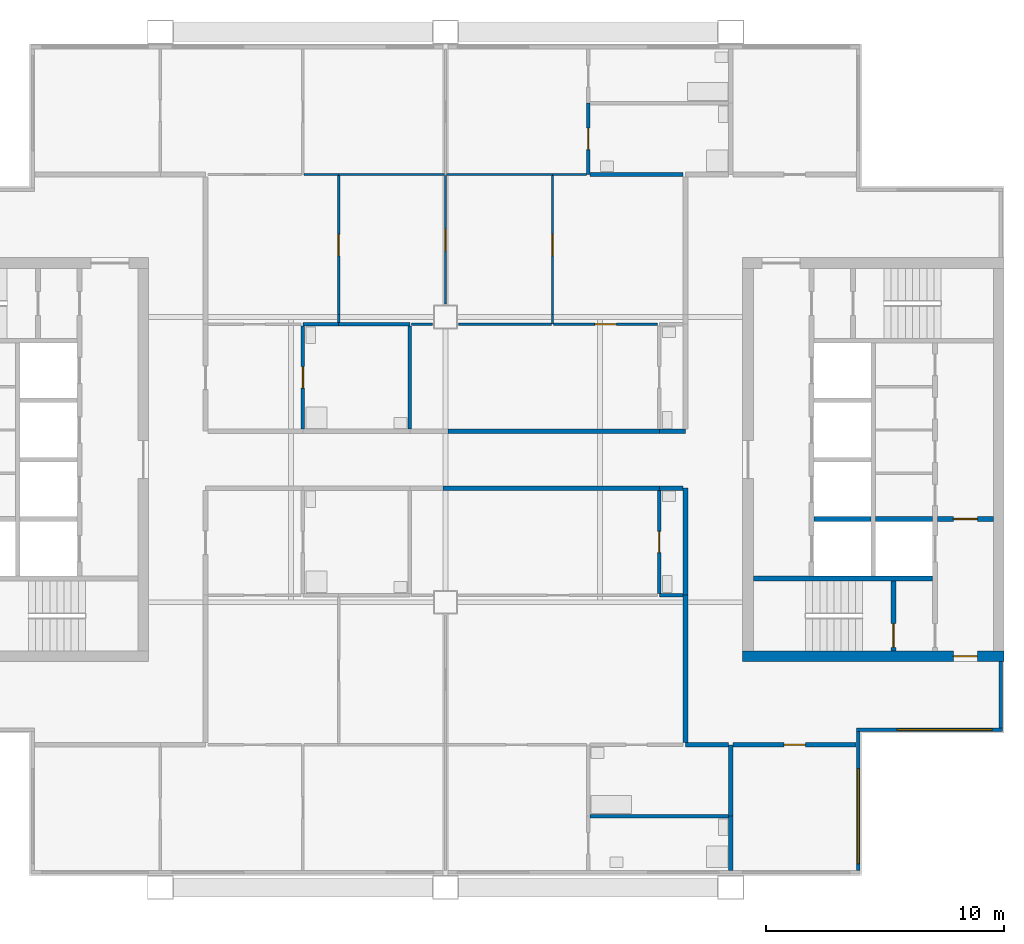
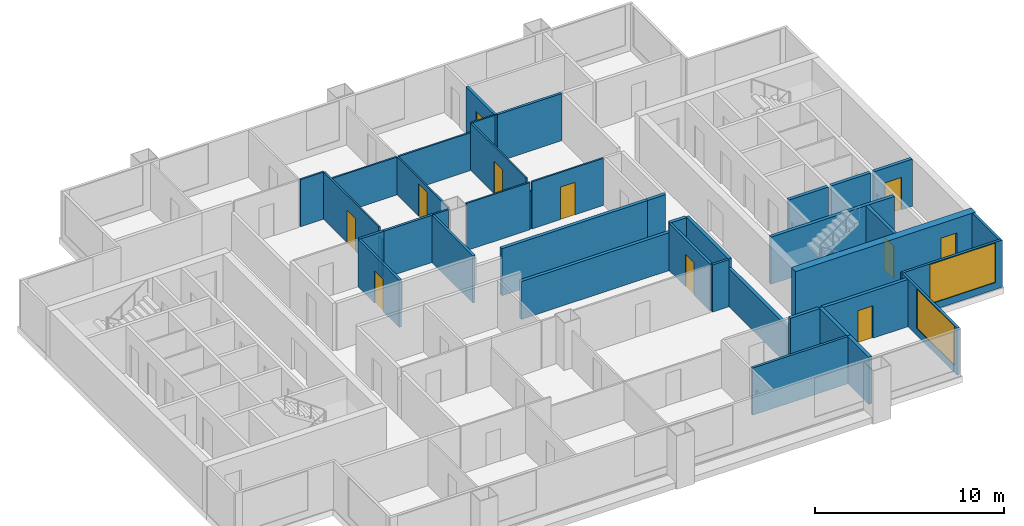
# One storey, part 4 of 8: 40 walls, 11 doors, 2 windows, 13 openings.
"""IFC4 building model written with IfcOpenShell, lengths in metres."""

from ifc_helpers import new_model, si_unit, direction, frame, frame_2d, origin, place, context, subcontext, project, spatial, rectangle, extrude, material, layer, layer_set, type_object, element, fill, save


model = new_model("IFC4")

# Units and contexts
model_context = context("Model", 3, precision=1e-05, world=origin(), true_north=direction((0.0, 1.0)))
body_context = subcontext(model_context, "Body", "Model", "MODEL_VIEW")
ifc_project = project(units=[si_unit("LENGTHUNIT", "METRE"), si_unit("AREAUNIT", "SQUARE_METRE"), si_unit("VOLUMEUNIT", "CUBIC_METRE"), si_unit("PLANEANGLEUNIT", "RADIAN"), si_unit("MASSUNIT", "GRAM", prefix="KILO")], contexts=[model_context])

# Site, building, storey
site_placement = place(None, origin())
site = spatial("IfcSite", under=ifc_project, at=site_placement, CompositionType="ELEMENT")
building_placement = place(site_placement, origin())
building = spatial("IfcBuilding", under=site, at=building_placement, Name="Kitamizu Gate Tower and Museum", CompositionType="ELEMENT")
storey_placement = place(building_placement, frame((0.0, 0.0, 228.300048828125)))
storey = spatial("IfcBuildingStorey", under=building, at=storey_placement, Name="L61", CompositionType="ELEMENT", Elevation=228.300048828125)

# Wall, opening, door
ifc_material_1 = material(Name="Concrete Fc42", Category="concrete")
ifc_layer_1 = layer(ifc_material_1, 0.449951171875)
ifc_layer_set_1 = layer_set([ifc_layer_1], Name="Concrete Fc42")
wall_type_1 = type_object("IfcWallType", Name="Core wall 450", PredefinedType="SHEAR", material=ifc_layer_set_1)
wall_1_placement = place(storey_placement, frame((59.5, 21.72509765625, 0.0), z_axis=(0.0, 0.0, 1.0), x_axis=(-1.0, 0.0, 0.0)))
wall_1 = element("IfcWall", 1, at=wall_1_placement, inside=storey, type_object=wall_type_1, Name="Core wall ES", PredefinedType="SHEAR", context=body_context, shape_type="SweptSolid", body=[
    extrude(rectangle(XDim=11.0, YDim=0.449951171875, at=frame_2d((5.5, 0.0))), origin(), (0.0, 0.0, 1.0), 3.050048828125),
])
opening_1_placement = place(wall_1_placement, frame((1.125, 0.0, 0.0)))
opening_1 = element("IfcOpeningElement", 2, at=opening_1_placement, cuts=wall_1, Name="Opening L61-047", PredefinedType="OPENING", context=body_context, shape_type="SweptSolid", body=[
    extrude(rectangle(XDim=1.0, YDim=2.10009765625, at=frame_2d((0.5, 1.050048828125))), frame((0.0, 0.23486328125, 0.0), z_axis=(0.0, -1.0, 0.0), x_axis=(1.0, 0.0, 0.0)), (0.0, 0.0, 1.0), 0.469970703125),
])
ifc_material_2 = material(Name="Hollow metal door set")
door_type_1 = type_object("IfcDoorType", Name="Fire door 1000", OperationType="NOTDEFINED", PredefinedType="DOOR", material=ifc_material_2)
door_1_placement = place(opening_1_placement, frame((1.0, 0.0, 0.0), x_axis=(-1.0, 0.0, 0.0)))
door_1 = element("IfcDoor", 3, at=door_1_placement, inside=storey, type_object=door_type_1, Name="Fire-fighting lobby door L61-047", OperationType="SINGLE_SWING_LEFT", OverallHeight=2.10009765625, OverallWidth=1.0, PredefinedType="DOOR", context=body_context, shape_type="SweptSolid", body=[
    extrude(rectangle(XDim=1.0, YDim=2.10009765625, at=frame_2d((0.5, 1.050048828125))), frame((0.0, 0.02490234375, 0.0), z_axis=(0.0, -1.0, 0.0), x_axis=(1.0, 0.0, 0.0)), (0.0, 0.0, 1.0), 0.050048828125),
])
fill(opening_1, door_1)

# Walls
ifc_material_3 = material(Name="Gypsum board on galvanised stud")
ifc_layer_2 = layer(ifc_material_3, 0.10009765625)
ifc_layer_set_2 = layer_set([ifc_layer_2], Name="Gypsum board on galvanised stud")
wall_type_2 = type_object("IfcWallType", Name="Partition 100 NOT RATED", PredefinedType="PARTITIONING", material=ifc_layer_set_2)
wall_2_placement = place(storey_placement, frame((30.050048828125, 42.0, 0.0), z_axis=(0.0, 0.0, 1.0), x_axis=(1.0, 0.0, 0.0)))
element("IfcWall", 4, at=wall_2_placement, inside=storey, type_object=wall_type_2, Name="Partition L61-044", PredefinedType="PARTITIONING", context=body_context, shape_type="SweptSolid", body=[
    extrude(rectangle(XDim=1.449951171875, YDim=0.10009765625, at=frame_2d((0.72509765625, 0.0))), origin(), (0.0, 0.0, 1.0), 3.050048828125),
])
for number, where, z_axis, x_axis, name in (
    (5, (31.5, 42.0, 0.0), (0.0, 0.0, 1.0), (1.0, 0.0, 0.0), "Partition L61-045"),
    (6, (36.050048828125, 42.0, 0.0), (0.0, 0.0, 1.0), (1.0, 0.0, 0.0), "Partition L61-048"),
):
    element("IfcWall", number, at=place(storey_placement, frame(where, z_axis=z_axis, x_axis=x_axis)), inside=storey, type_object=wall_type_2, Name=name, PredefinedType="PARTITIONING", context=body_context, shape_type="SweptSolid", body=[
        extrude(rectangle(XDim=4.449951171875, YDim=0.10009765625, at=frame_2d((2.22509765625, 0.0))), origin(), (0.0, 0.0, 1.0), 2.449951171875),
    ])
wall_3_placement = place(storey_placement, frame((40.5, 42.0, 0.0), z_axis=(0.0, 0.0, 1.0), x_axis=(1.0, 0.0, 0.0)))
element("IfcWall", 7, at=wall_3_placement, inside=storey, type_object=wall_type_2, Name="Partition L61-049", PredefinedType="PARTITIONING", context=body_context, shape_type="SweptSolid", body=[
    extrude(rectangle(XDim=1.425048828125, YDim=0.10009765625, at=frame_2d((0.71240234375, 0.0))), origin(), (0.0, 0.0, 1.0), 3.050048828125),
])
wall_4_placement = place(storey_placement, frame((31.5, 35.77490234375, 0.0), z_axis=(0.0, 0.0, 1.0), x_axis=(0.0, 1.0, 0.0)))
element("IfcWall", 8, at=wall_4_placement, inside=storey, type_object=wall_type_2, Name="Partition L61-055", PredefinedType="PARTITIONING", context=body_context, shape_type="SweptSolid", body=[
    extrude(rectangle(XDim=0.3251953125, YDim=0.10009765625, at=frame_2d((0.16259765625, 0.0))), origin(), (0.0, 0.0, 1.0), 2.449951171875),
])

# Wall, opening, door
wall_5_placement = place(storey_placement, frame((31.5, 36.10009765625, 0.0), z_axis=(0.0, 0.0, 1.0), x_axis=(0.0, 1.0, 0.0)))
wall_5 = element("IfcWall", 9, at=wall_5_placement, inside=storey, type_object=wall_type_2, Name="Partition L61-056", PredefinedType="PARTITIONING", context=body_context, shape_type="SweptSolid", body=[
    extrude(rectangle(XDim=5.849853515625, YDim=0.10009765625, at=frame_2d((2.9248046875, 0.0))), origin(), (0.0, 0.0, 1.0), 3.050048828125),
])
opening_2_placement = place(wall_5_placement, frame((2.47509765625, 0.0, 0.0)))
opening_2 = element("IfcOpeningElement", 10, at=opening_2_placement, cuts=wall_5, Name="Opening L61-022", PredefinedType="OPENING", context=body_context, shape_type="SweptSolid", body=[
    extrude(rectangle(XDim=0.89990234375, YDim=2.10009765625, at=frame_2d((0.449951171875, 1.050048828125))), frame((0.0, 0.06005859375, 0.0), z_axis=(0.0, -1.0, 0.0), x_axis=(1.0, 0.0, 0.0)), (0.0, 0.0, 1.0), 0.1201171875),
])
ifc_material_4 = material(Name="Timber door set", Category="wood")
door_type_2 = type_object("IfcDoorType", Name="Room door 900", OperationType="NOTDEFINED", PredefinedType="DOOR", material=ifc_material_4)
door_2_placement = place(opening_2_placement, frame((0.89990234375, 0.0, 0.0), x_axis=(-1.0, 0.0, 0.0)))
door_2 = element("IfcDoor", 11, at=door_2_placement, inside=storey, type_object=door_type_2, Name="Door L61-022", OperationType="SINGLE_SWING_RIGHT", OverallHeight=2.10009765625, OverallWidth=0.89990234375, PredefinedType="DOOR", context=body_context, shape_type="SweptSolid", body=[
    extrude(rectangle(XDim=0.89990234375, YDim=2.10009765625, at=frame_2d((0.449951171875, 1.050048828125))), frame((0.0, 0.02490234375, 0.0), z_axis=(0.0, -1.0, 0.0), x_axis=(1.0, 0.0, 0.0)), (0.0, 0.0, 1.0), 0.050048828125),
])
fill(opening_2, door_2)

wall_6_placement = place(storey_placement, frame((36.0, 36.550048828125, 0.0), z_axis=(0.0, 0.0, 1.0), x_axis=(0.0, 1.0, 0.0)))
wall_6 = element("IfcWall", 12, at=wall_6_placement, inside=storey, type_object=wall_type_2, Name="Partition L61-060", PredefinedType="PARTITIONING", context=body_context, shape_type="SweptSolid", body=[
    extrude(rectangle(XDim=5.39990234375, YDim=0.10009765625, at=frame_2d((2.699951171875, 0.0))), origin(), (0.0, 0.0, 1.0), 2.449951171875),
])
opening_3_placement = place(wall_6_placement, frame((2.25, 0.0, 0.0)))
opening_3 = element("IfcOpeningElement", 13, at=opening_3_placement, cuts=wall_6, Name="Opening L61-023", PredefinedType="OPENING", context=body_context, shape_type="SweptSolid", body=[
    extrude(rectangle(XDim=0.89990234375, YDim=2.10009765625, at=frame_2d((0.449951171875, 1.050048828125))), frame((0.0, 0.06005859375, 0.0), z_axis=(0.0, -1.0, 0.0), x_axis=(1.0, 0.0, 0.0)), (0.0, 0.0, 1.0), 0.1201171875),
])
door_3_placement = place(opening_3_placement, origin())
door_3 = element("IfcDoor", 14, at=door_3_placement, inside=storey, type_object=door_type_2, Name="Door L61-023", OperationType="SINGLE_SWING_RIGHT", OverallHeight=2.10009765625, OverallWidth=0.89990234375, PredefinedType="DOOR", context=body_context, shape_type="SweptSolid", body=[
    extrude(rectangle(XDim=0.89990234375, YDim=2.10009765625, at=frame_2d((0.449951171875, 1.050048828125))), frame((0.0, 0.02490234375, 0.0), z_axis=(0.0, -1.0, 0.0), x_axis=(1.0, 0.0, 0.0)), (0.0, 0.0, 1.0), 0.050048828125),
])
fill(opening_3, door_3)

# Walls
wall_7_placement = place(storey_placement, frame((34.574951171875, 35.699951171875, 0.0), z_axis=(0.0, 0.0, 1.0), x_axis=(1.0, 0.0, 0.0)))
element("IfcWall", 15, at=wall_7_placement, inside=storey, type_object=wall_type_2, Name="Partition L61-062", PredefinedType="PARTITIONING", context=body_context, shape_type="SweptSolid", body=[
    extrude(rectangle(XDim=0.875, YDim=0.10009765625, at=frame_2d((0.4375, 0.0))), origin(), (0.0, 0.0, 1.0), 3.050048828125),
])
wall_8_placement = place(storey_placement, frame((40.5, 35.699951171875, 0.0), z_axis=(0.0, 0.0, 1.0), x_axis=(0.0, 1.0, 0.0)))
element("IfcWall", 16, at=wall_8_placement, inside=storey, type_object=wall_type_2, Name="Partition L61-063", PredefinedType="PARTITIONING", context=body_context, shape_type="SweptSolid", body=[
    extrude(rectangle(XDim=0.400146484375, YDim=0.10009765625, at=frame_2d((0.2001953125, 0.0))), origin(), (0.0, 0.0, 1.0), 2.449951171875),
])

# Wall, opening, door
wall_9_placement = place(storey_placement, frame((40.5, 36.10009765625, 0.0), z_axis=(0.0, 0.0, 1.0), x_axis=(0.0, 1.0, 0.0)))
wall_9 = element("IfcWall", 17, at=wall_9_placement, inside=storey, type_object=wall_type_2, Name="Partition L61-064", PredefinedType="PARTITIONING", context=body_context, shape_type="SweptSolid", body=[
    extrude(rectangle(XDim=5.849853515625, YDim=0.10009765625, at=frame_2d((2.9248046875, 0.0))), origin(), (0.0, 0.0, 1.0), 3.050048828125),
])
opening_4_placement = place(wall_9_placement, frame((2.47509765625, 0.0, 0.0)))
opening_4 = element("IfcOpeningElement", 18, at=opening_4_placement, cuts=wall_9, Name="Opening L61-024", PredefinedType="OPENING", context=body_context, shape_type="SweptSolid", body=[
    extrude(rectangle(XDim=0.89990234375, YDim=2.10009765625, at=frame_2d((0.449951171875, 1.050048828125))), frame((0.0, 0.06005859375, 0.0), z_axis=(0.0, -1.0, 0.0), x_axis=(1.0, 0.0, 0.0)), (0.0, 0.0, 1.0), 0.1201171875),
])
door_4_placement = place(opening_4_placement, origin())
door_4 = element("IfcDoor", 19, at=door_4_placement, inside=storey, type_object=door_type_2, Name="Door L61-024", OperationType="SINGLE_SWING_LEFT", OverallHeight=2.10009765625, OverallWidth=0.89990234375, PredefinedType="DOOR", context=body_context, shape_type="SweptSolid", body=[
    extrude(rectangle(XDim=0.89990234375, YDim=2.10009765625, at=frame_2d((0.449951171875, 1.050048828125))), frame((0.0, 0.02490234375, 0.0), z_axis=(0.0, -1.0, 0.0), x_axis=(1.0, 0.0, 0.0)), (0.0, 0.0, 1.0), 0.050048828125),
])
fill(opening_4, door_4)

# Wall
wall_10_placement = place(storey_placement, frame((36.550048828125, 35.699951171875, 0.0), z_axis=(0.0, 0.0, 1.0), x_axis=(1.0, 0.0, 0.0)))
element("IfcWall", 20, at=wall_10_placement, inside=storey, type_object=wall_type_2, Name="Partition L61-065", PredefinedType="PARTITIONING", context=body_context, shape_type="SweptSolid", body=[
    extrude(rectangle(XDim=3.89990234375, YDim=0.10009765625, at=frame_2d((1.949951171875, 0.0))), origin(), (0.0, 0.0, 1.0), 3.050048828125),
])

# Wall, opening, door
wall_11_placement = place(storey_placement, frame((40.550048828125, 35.699951171875, 0.0), z_axis=(0.0, 0.0, 1.0), x_axis=(1.0, 0.0, 0.0)))
wall_11 = element("IfcWall", 21, at=wall_11_placement, inside=storey, type_object=wall_type_2, Name="Partition L61-066", PredefinedType="PARTITIONING", context=body_context, shape_type="SweptSolid", body=[
    extrude(rectangle(XDim=4.375, YDim=0.10009765625, at=frame_2d((2.1875, 0.0))), origin(), (0.0, 0.0, 1.0), 3.050048828125),
])
opening_5_placement = place(wall_11_placement, frame((1.737548828125, 0.0, 0.0)))
opening_5 = element("IfcOpeningElement", 22, at=opening_5_placement, cuts=wall_11, Name="Opening L61-025", PredefinedType="OPENING", context=body_context, shape_type="SweptSolid", body=[
    extrude(rectangle(XDim=0.89990234375, YDim=2.10009765625, at=frame_2d((0.449951171875, 1.050048828125))), frame((0.0, 0.06005859375, 0.0), z_axis=(0.0, -1.0, 0.0), x_axis=(1.0, 0.0, 0.0)), (0.0, 0.0, 1.0), 0.1201171875),
])
door_5_placement = place(opening_5_placement, origin())
door_5 = element("IfcDoor", 23, at=door_5_placement, inside=storey, type_object=door_type_2, Name="Door L61-025", OperationType="SINGLE_SWING_RIGHT", OverallHeight=2.10009765625, OverallWidth=0.89990234375, PredefinedType="DOOR", context=body_context, shape_type="SweptSolid", body=[
    extrude(rectangle(XDim=0.89990234375, YDim=2.10009765625, at=frame_2d((0.449951171875, 1.050048828125))), frame((0.0, 0.02490234375, 0.0), z_axis=(0.0, -1.0, 0.0), x_axis=(1.0, 0.0, 0.0)), (0.0, 0.0, 1.0), 0.050048828125),
])
fill(opening_5, door_5)

# Walls
ifc_material_5 = material(Name="Gypsum board on galvanised stud")
ifc_layer_3 = layer(ifc_material_5, 0.14990234375)
ifc_layer_set_3 = layer_set([ifc_layer_3], Name="Gypsum board on galvanised stud")
wall_type_3 = type_object("IfcWallType", Name="Partition 150", PredefinedType="PARTITIONING", material=ifc_layer_set_3)
wall_12_placement = place(storey_placement, frame((47.89990234375, 15.0, 0.0), z_axis=(0.0, 0.0, 1.0), x_axis=(-1.0, 0.0, 0.0)))
element("IfcWall", 24, at=wall_12_placement, inside=storey, type_object=wall_type_3, Name="Partition L61-012", PredefinedType="PARTITIONING", context=body_context, shape_type="SweptSolid", body=[
    extrude(rectangle(XDim=5.824951171875, YDim=0.14990234375, at=frame_2d((2.91259765625, 0.0))), origin(), (0.0, 0.0, 1.0), 3.050048828125),
])
wall_13_placement = place(storey_placement, frame((46.0, 24.300048828125, 0.0), z_axis=(0.0, 0.0, 1.0), x_axis=(-1.0, 0.0, 0.0)))
element("IfcWall", 25, at=wall_13_placement, inside=storey, type_object=wall_type_3, Name="Partition L61-026", PredefinedType="PARTITIONING", context=body_context, shape_type="SweptSolid", body=[
    extrude(rectangle(XDim=1.0, YDim=0.14990234375, at=frame_2d((0.5, 0.0))), origin(), (0.0, 0.0, 1.0), 3.050048828125),
])

# Wall, opening, door
wall_14_placement = place(storey_placement, frame((45.0, 24.375, 0.0), z_axis=(0.0, 0.0, 1.0), x_axis=(0.0, 1.0, 0.0)))
wall_14 = element("IfcWall", 26, at=wall_14_placement, inside=storey, type_object=wall_type_3, Name="Partition L61-033", PredefinedType="PARTITIONING", context=body_context, shape_type="SweptSolid", body=[
    extrude(rectangle(XDim=4.324951171875, YDim=0.14990234375, at=frame_2d((2.16259765625, 0.0))), origin(), (0.0, 0.0, 1.0), 3.050048828125),
])
opening_6_placement = place(wall_14_placement, frame((1.71240234375, 0.0, 0.0)))
opening_6 = element("IfcOpeningElement", 27, at=opening_6_placement, cuts=wall_14, Name="Opening L61-013", PredefinedType="OPENING", context=body_context, shape_type="SweptSolid", body=[
    extrude(rectangle(XDim=0.89990234375, YDim=2.10009765625, at=frame_2d((0.449951171875, 1.050048828125))), frame((0.0, 0.0849609375, 0.0), z_axis=(0.0, -1.0, 0.0), x_axis=(1.0, 0.0, 0.0)), (0.0, 0.0, 1.0), 0.169921875),
])
ifc_material_6 = material(Name="Timber door set", Category="wood")
door_type_3 = type_object("IfcDoorType", Name="Bathroom door 900", OperationType="NOTDEFINED", PredefinedType="DOOR", material=ifc_material_6)
door_6_placement = place(opening_6_placement, frame((0.89990234375, 0.0, 0.0), x_axis=(-1.0, 0.0, 0.0)))
door_6 = element("IfcDoor", 28, at=door_6_placement, inside=storey, type_object=door_type_3, Name="Bathroom door L61-013", OperationType="SINGLE_SWING_LEFT", OverallHeight=2.10009765625, OverallWidth=0.89990234375, PredefinedType="DOOR", context=body_context, shape_type="SweptSolid", body=[
    extrude(rectangle(XDim=0.89990234375, YDim=2.10009765625, at=frame_2d((0.449951171875, 1.050048828125))), frame((0.0, 0.02490234375, 0.0), z_axis=(0.0, -1.0, 0.0), x_axis=(1.0, 0.0, 0.0)), (0.0, 0.0, 1.0), 0.050048828125),
])
fill(opening_6, door_6)

wall_15_placement = place(storey_placement, frame((42.0, 42.0, 0.0), z_axis=(0.0, 0.0, 1.0), x_axis=(0.0, 1.0, 0.0)))
wall_15 = element("IfcWall", 29, at=wall_15_placement, inside=storey, type_object=wall_type_3, Name="Partition L61-046", PredefinedType="PARTITIONING", context=body_context, shape_type="SweptSolid", body=[
    extrude(rectangle(XDim=3.0, YDim=0.14990234375, at=frame_2d((1.5, 0.0))), origin(), (0.0, 0.0, 1.0), 3.050048828125),
])
opening_7_placement = place(wall_15_placement, frame((1.050048828125, 0.0, 0.0)))
opening_7 = element("IfcOpeningElement", 30, at=opening_7_placement, cuts=wall_15, Name="Opening L61-020", PredefinedType="OPENING", context=body_context, shape_type="SweptSolid", body=[
    extrude(rectangle(XDim=0.89990234375, YDim=2.10009765625, at=frame_2d((0.449951171875, 1.050048828125))), frame((0.0, 0.0849609375, 0.0), z_axis=(0.0, -1.0, 0.0), x_axis=(1.0, 0.0, 0.0)), (0.0, 0.0, 1.0), 0.169921875),
])
door_7_placement = place(opening_7_placement, frame((0.89990234375, 0.0, 0.0), x_axis=(-1.0, 0.0, 0.0)))
door_7 = element("IfcDoor", 31, at=door_7_placement, inside=storey, type_object=door_type_3, Name="Bathroom door L61-020", OperationType="SINGLE_SWING_RIGHT", OverallHeight=2.10009765625, OverallWidth=0.89990234375, PredefinedType="DOOR", context=body_context, shape_type="SweptSolid", body=[
    extrude(rectangle(XDim=0.89990234375, YDim=2.10009765625, at=frame_2d((0.449951171875, 1.050048828125))), frame((0.0, 0.02490234375, 0.0), z_axis=(0.0, -1.0, 0.0), x_axis=(1.0, 0.0, 0.0)), (0.0, 0.0, 1.0), 0.050048828125),
])
fill(opening_7, door_7)

# Walls
wall_16_placement = place(storey_placement, frame((42.074951171875, 42.0, 0.0), z_axis=(0.0, 0.0, 1.0), x_axis=(1.0, 0.0, 0.0)))
element("IfcWall", 32, at=wall_16_placement, inside=storey, type_object=wall_type_3, Name="Partition L61-051", PredefinedType="PARTITIONING", context=body_context, shape_type="SweptSolid", body=[
    extrude(rectangle(XDim=3.925048828125, YDim=0.14990234375, at=frame_2d((1.96240234375, 0.0))), origin(), (0.0, 0.0, 1.0), 3.050048828125),
])
wall_17_placement = place(storey_placement, frame((30.0, 35.699951171875, 0.0), z_axis=(0.0, 0.0, 1.0), x_axis=(1.0, 0.0, 0.0)))
element("IfcWall", 33, at=wall_17_placement, inside=storey, type_object=wall_type_3, Name="Partition L61-058", PredefinedType="PARTITIONING", context=body_context, shape_type="SweptSolid", body=[
    extrude(rectangle(XDim=1.5, YDim=0.14990234375, at=frame_2d((0.75, 0.0))), origin(), (0.0, 0.0, 1.0), 3.050048828125),
])
wall_18_placement = place(storey_placement, frame((31.5, 35.699951171875, 0.0), z_axis=(0.0, 0.0, 1.0), x_axis=(1.0, 0.0, 0.0)))
element("IfcWall", 34, at=wall_18_placement, inside=storey, type_object=wall_type_3, Name="Partition L61-061", PredefinedType="PARTITIONING", context=body_context, shape_type="SweptSolid", body=[
    extrude(rectangle(XDim=3.0, YDim=0.14990234375, at=frame_2d((1.5, 0.0))), origin(), (0.0, 0.0, 1.0), 3.050048828125),
])

# Wall, opening, door
wall_19_placement = place(storey_placement, frame((30.0, 31.300048828125, 0.0), z_axis=(0.0, 0.0, 1.0), x_axis=(0.0, 1.0, 0.0)))
wall_19 = element("IfcWall", 35, at=wall_19_placement, inside=storey, type_object=wall_type_3, Name="Partition L61-070", PredefinedType="PARTITIONING", context=body_context, shape_type="SweptSolid", body=[
    extrude(rectangle(XDim=4.324951171875, YDim=0.14990234375, at=frame_2d((2.16259765625, 0.0))), origin(), (0.0, 0.0, 1.0), 3.050048828125),
])
opening_8_placement = place(wall_19_placement, frame((1.71240234375, 0.0, 0.0)))
opening_8 = element("IfcOpeningElement", 36, at=opening_8_placement, cuts=wall_19, Name="Opening L61-015", PredefinedType="OPENING", context=body_context, shape_type="SweptSolid", body=[
    extrude(rectangle(XDim=0.89990234375, YDim=2.10009765625, at=frame_2d((0.449951171875, 1.050048828125))), frame((0.0, 0.0849609375, 0.0), z_axis=(0.0, -1.0, 0.0), x_axis=(1.0, 0.0, 0.0)), (0.0, 0.0, 1.0), 0.169921875),
])
door_8_placement = place(opening_8_placement, frame((0.89990234375, 0.0, 0.0), x_axis=(-1.0, 0.0, 0.0)))
door_8 = element("IfcDoor", 37, at=door_8_placement, inside=storey, type_object=door_type_3, Name="Bathroom door L61-015", OperationType="SINGLE_SWING_LEFT", OverallHeight=2.10009765625, OverallWidth=0.89990234375, PredefinedType="DOOR", context=body_context, shape_type="SweptSolid", body=[
    extrude(rectangle(XDim=0.89990234375, YDim=2.10009765625, at=frame_2d((0.449951171875, 1.050048828125))), frame((0.0, 0.02490234375, 0.0), z_axis=(0.0, -1.0, 0.0), x_axis=(1.0, 0.0, 0.0)), (0.0, 0.0, 1.0), 0.050048828125),
])
fill(opening_8, door_8)

# Walls
wall_20_placement = place(storey_placement, frame((34.5, 31.300048828125, 0.0), z_axis=(0.0, 0.0, 1.0), x_axis=(0.0, 1.0, 0.0)))
element("IfcWall", 38, at=wall_20_placement, inside=storey, type_object=wall_type_3, Name="Partition L61-073", PredefinedType="PARTITIONING", context=body_context, shape_type="SweptSolid", body=[
    extrude(rectangle(XDim=4.324951171875, YDim=0.14990234375, at=frame_2d((2.16259765625, 0.0))), origin(), (0.0, 0.0, 1.0), 3.050048828125),
])
ifc_material_7 = material(Name="Gypsum board on galvanised stud")
ifc_layer_4 = layer(ifc_material_7, 0.199951171875)
ifc_layer_set_4 = layer_set([ifc_layer_4], Name="Gypsum board on galvanised stud")
wall_type_4 = type_object("IfcWallType", Name="Partition 200", PredefinedType="PARTITIONING", material=ifc_layer_set_4)
wall_21_placement = place(storey_placement, frame((48.0, 12.719970703125, 0.0), z_axis=(0.0, 0.0, 1.0), x_axis=(0.0, 1.0, 0.0)))
element("IfcWall", 39, at=wall_21_placement, inside=storey, type_object=wall_type_4, Name="Partition L61-013", PredefinedType="PARTITIONING", context=body_context, shape_type="SweptSolid", body=[
    extrude(rectangle(XDim=2.280029296875, YDim=0.199951171875, at=frame_2d((1.14013671875, 0.0))), origin(), (0.0, 0.0, 1.0), 3.050048828125),
])
wall_22_placement = place(storey_placement, frame((48.0, 15.0, 0.0), z_axis=(0.0, 0.0, 1.0), x_axis=(0.0, 1.0, 0.0)))
element("IfcWall", 40, at=wall_22_placement, inside=storey, type_object=wall_type_4, Name="Partition L61-015", PredefinedType="PARTITIONING", context=body_context, shape_type="SweptSolid", body=[
    extrude(rectangle(XDim=3.0, YDim=0.199951171875, at=frame_2d((1.5, 0.0))), origin(), (0.0, 0.0, 1.0), 3.050048828125),
])
wall_23_placement = place(storey_placement, frame((47.89990234375, 18.0, 0.0), z_axis=(0.0, 0.0, 1.0), x_axis=(-1.0, 0.0, 0.0)))
element("IfcWall", 41, at=wall_23_placement, inside=storey, type_object=wall_type_4, Name="Partition L61-016", PredefinedType="PARTITIONING", context=body_context, shape_type="SweptSolid", body=[
    extrude(rectangle(XDim=1.7998046875, YDim=0.199951171875, at=frame_2d((0.89990234375, 0.0))), origin(), (0.0, 0.0, 1.0), 3.050048828125),
])
wall_24_placement = place(storey_placement, frame((46.10009765625, 18.10009765625, 0.0), z_axis=(0.0, 0.0, 1.0), x_axis=(0.0, 1.0, 0.0)))
element("IfcWall", 42, at=wall_24_placement, inside=storey, type_object=wall_type_4, Name="Partition L61-027", PredefinedType="PARTITIONING", context=body_context, shape_type="SweptSolid", body=[
    extrude(rectangle(XDim=6.199951171875, YDim=0.199951171875, at=frame_2d((3.10009765625, 0.0))), origin(), (0.0, 0.0, 1.0), 2.449951171875),
])
wall_25_placement = place(storey_placement, frame((45.0, 28.800048828125, 0.0), z_axis=(0.0, 0.0, 1.0), x_axis=(-1.0, 0.0, 0.0)))
element("IfcWall", 43, at=wall_25_placement, inside=storey, type_object=wall_type_4, Name="Partition L61-034", PredefinedType="PARTITIONING", context=body_context, shape_type="SweptSolid", body=[
    extrude(rectangle(XDim=9.10009765625, YDim=0.199951171875, at=frame_2d((4.550048828125, 0.0))), origin(), (0.0, 0.0, 1.0), 2.449951171875),
])
wall_26_placement = place(storey_placement, frame((46.10009765625, 24.300048828125, 0.0), z_axis=(0.0, 0.0, 1.0), x_axis=(0.0, 1.0, 0.0)))
element("IfcWall", 44, at=wall_26_placement, inside=storey, type_object=wall_type_4, Name="Partition L61-036", PredefinedType="PARTITIONING", context=body_context, shape_type="SweptSolid", body=[
    extrude(rectangle(XDim=4.5, YDim=0.199951171875, at=frame_2d((2.25, 0.0))), origin(), (0.0, 0.0, 1.0), 3.050048828125),
])
wall_27_placement = place(storey_placement, frame((46.0, 28.800048828125, 0.0), z_axis=(0.0, 0.0, 1.0), x_axis=(-1.0, 0.0, 0.0)))
element("IfcWall", 45, at=wall_27_placement, inside=storey, type_object=wall_type_4, Name="Partition L61-037", PredefinedType="PARTITIONING", context=body_context, shape_type="SweptSolid", body=[
    extrude(rectangle(XDim=1.0, YDim=0.199951171875, at=frame_2d((0.5, 0.0))), origin(), (0.0, 0.0, 1.0), 3.050048828125),
])
wall_28_placement = place(storey_placement, frame((36.10009765625, 31.199951171875, 0.0), z_axis=(0.0, 0.0, 1.0), x_axis=(1.0, 0.0, 0.0)))
element("IfcWall", 46, at=wall_28_placement, inside=storey, type_object=wall_type_4, Name="Partition L61-077", PredefinedType="PARTITIONING", context=body_context, shape_type="SweptSolid", body=[
    extrude(rectangle(XDim=8.89990234375, YDim=0.199951171875, at=frame_2d((4.449951171875, 0.0))), origin(), (0.0, 0.0, 1.0), 3.050048828125),
])
wall_29_placement = place(storey_placement, frame((45.0, 31.199951171875, 0.0), z_axis=(0.0, 0.0, 1.0), x_axis=(1.0, 0.0, 0.0)))
element("IfcWall", 47, at=wall_29_placement, inside=storey, type_object=wall_type_4, Name="Partition L61-078", PredefinedType="PARTITIONING", context=body_context, shape_type="SweptSolid", body=[
    extrude(rectangle(XDim=1.10009765625, YDim=0.199951171875, at=frame_2d((0.550048828125, 0.0))), origin(), (0.0, 0.0, 1.0), 3.050048828125),
])

# Wall, opening, door
wall_30_placement = place(storey_placement, frame((53.280029296875, 18.0, 0.0), z_axis=(0.0, 0.0, 1.0), x_axis=(-1.0, 0.0, 0.0)))
wall_30 = element("IfcWall", 48, at=wall_30_placement, inside=storey, type_object=wall_type_4, Name="Partition L61-080", PredefinedType="PARTITIONING", context=body_context, shape_type="SweptSolid", body=[
    extrude(rectangle(XDim=5.179931640625, YDim=0.199951171875, at=frame_2d((2.58984375, 0.0))), origin(), (0.0, 0.0, 1.0), 3.050048828125),
])
opening_9_placement = place(wall_30_placement, frame((2.139892578125, 0.0, 0.0)))
opening_9 = element("IfcOpeningElement", 49, at=opening_9_placement, cuts=wall_30, Name="Opening L61-028", PredefinedType="OPENING", context=body_context, shape_type="SweptSolid", body=[
    extrude(rectangle(XDim=0.89990234375, YDim=2.10009765625, at=frame_2d((0.449951171875, 1.050048828125))), frame((0.0, 0.10986328125, 0.0), z_axis=(0.0, -1.0, 0.0), x_axis=(1.0, 0.0, 0.0)), (0.0, 0.0, 1.0), 0.219970703125),
])
door_9_placement = place(opening_9_placement, origin())
door_9 = element("IfcDoor", 50, at=door_9_placement, inside=storey, type_object=door_type_2, Name="Door L61-028", OperationType="SINGLE_SWING_LEFT", OverallHeight=2.10009765625, OverallWidth=0.89990234375, PredefinedType="DOOR", context=body_context, shape_type="SweptSolid", body=[
    extrude(rectangle(XDim=0.89990234375, YDim=2.10009765625, at=frame_2d((0.449951171875, 1.050048828125))), frame((0.0, 0.02490234375, 0.0), z_axis=(0.0, -1.0, 0.0), x_axis=(1.0, 0.0, 0.0)), (0.0, 0.0, 1.0), 0.050048828125),
])
fill(opening_9, door_9)

# Wall
ifc_material_8 = material(Name="Concrete Fc42", Category="concrete")
ifc_layer_5 = layer(ifc_material_8, 0.199951171875)
ifc_layer_set_5 = layer_set([ifc_layer_5], Name="Concrete Fc42")
wall_type_5 = type_object("IfcWallType", Name="Shaft wall 200", PredefinedType="SOLIDWALL", material=ifc_layer_set_5)
wall_31_placement = place(storey_placement, frame((56.5, 25.0, 0.0), z_axis=(0.0, 0.0, 1.0), x_axis=(-1.0, 0.0, 0.0)))
element("IfcWall", 51, at=wall_31_placement, inside=storey, type_object=wall_type_5, Name="Shaft wall ESB", PredefinedType="SOLIDWALL", context=body_context, shape_type="SweptSolid", body=[
    extrude(rectangle(XDim=7.550048828125, YDim=0.199951171875, at=frame_2d((3.77490234375, 0.0))), origin(), (0.0, 0.0, 1.0), 3.050048828125),
])

# Wall, opening, door
wall_32_placement = place(storey_placement, frame((59.050048828125, 27.5, 0.0), z_axis=(0.0, 0.0, 1.0), x_axis=(-1.0, 0.0, 0.0)))
wall_32 = element("IfcWall", 52, at=wall_32_placement, inside=storey, type_object=wall_type_5, Name="Shaft wall EFFN", PredefinedType="SOLIDWALL", context=body_context, shape_type="SweptSolid", body=[
    extrude(rectangle(XDim=2.35009765625, YDim=0.199951171875, at=frame_2d((1.175048828125, 0.0))), origin(), (0.0, 0.0, 1.0), 3.050048828125),
])
opening_10_placement = place(wall_32_placement, frame((0.675048828125, 0.0, 0.0)))
opening_10 = element("IfcOpeningElement", 53, at=opening_10_placement, cuts=wall_32, Name="Opening L61-046", PredefinedType="OPENING", context=body_context, shape_type="SweptSolid", body=[
    extrude(rectangle(XDim=1.0, YDim=2.10009765625, at=frame_2d((0.5, 1.050048828125))), frame((0.0, 0.10986328125, 0.0), z_axis=(0.0, -1.0, 0.0), x_axis=(1.0, 0.0, 0.0)), (0.0, 0.0, 1.0), 0.219970703125),
])
door_10_placement = place(opening_10_placement, origin())
door_10 = element("IfcDoor", 54, at=door_10_placement, inside=storey, type_object=door_type_1, Name="Fire-fighting lobby door L61-046", OperationType="SINGLE_SWING_LEFT", OverallHeight=2.10009765625, OverallWidth=1.0, PredefinedType="DOOR", context=body_context, shape_type="SweptSolid", body=[
    extrude(rectangle(XDim=1.0, YDim=2.10009765625, at=frame_2d((0.5, 1.050048828125))), frame((0.0, 0.02490234375, 0.0), z_axis=(0.0, -1.0, 0.0), x_axis=(1.0, 0.0, 0.0)), (0.0, 0.0, 1.0), 0.050048828125),
])
fill(opening_10, door_10)

wall_33_placement = place(storey_placement, frame((54.85009765625, 21.949951171875, 0.0), z_axis=(0.0, 0.0, 1.0), x_axis=(0.0, 1.0, 0.0)))
wall_33 = element("IfcWall", 55, at=wall_33_placement, inside=storey, type_object=wall_type_5, Name="Shaft wall ESZ", PredefinedType="SOLIDWALL", context=body_context, shape_type="SweptSolid", body=[
    extrude(rectangle(XDim=2.949951171875, YDim=0.199951171875, at=frame_2d((1.47509765625, 0.0))), origin(), (0.0, 0.0, 1.0), 3.050048828125),
])
opening_11_placement = place(wall_33_placement, frame((0.14990234375, 0.0, 0.0)))
opening_11 = element("IfcOpeningElement", 56, at=opening_11_placement, cuts=wall_33, Name="Opening L61-042", PredefinedType="OPENING", context=body_context, shape_type="SweptSolid", body=[
    extrude(rectangle(XDim=1.0, YDim=2.10009765625, at=frame_2d((0.5, 1.050048828125))), frame((0.0, 0.10986328125, 0.0), z_axis=(0.0, -1.0, 0.0), x_axis=(1.0, 0.0, 0.0)), (0.0, 0.0, 1.0), 0.219970703125),
])
door_11_placement = place(opening_11_placement, origin())
door_11 = element("IfcDoor", 57, at=door_11_placement, inside=storey, type_object=door_type_1, Name="Stair door L61-042", OperationType="SINGLE_SWING_RIGHT", OverallHeight=2.10009765625, OverallWidth=1.0, PredefinedType="DOOR", context=body_context, shape_type="SweptSolid", body=[
    extrude(rectangle(XDim=1.0, YDim=2.10009765625, at=frame_2d((0.5, 1.050048828125))), frame((0.0, 0.02490234375, 0.0), z_axis=(0.0, -1.0, 0.0), x_axis=(1.0, 0.0, 0.0)), (0.0, 0.0, 1.0), 0.050048828125),
])
fill(opening_11, door_11)

# Walls
for number, where, z_axis, x_axis, name in (
    (58, (56.5, 27.5, 0.0), (0.0, 0.0, 1.0), (-1.0, 0.0, 0.0), "Shaft wall EDVW0"),
    (59, (53.89990234375, 27.5, 0.0), (0.0, 0.0, 1.0), (-1.0, 0.0, 0.0), "Shaft wall EDVE0"),
):
    element("IfcWall", number, at=place(storey_placement, frame(where, z_axis=z_axis, x_axis=x_axis)), inside=storey, type_object=wall_type_5, Name=name, PredefinedType="SOLIDWALL", context=body_context, shape_type="SweptSolid", body=[
        extrude(rectangle(XDim=2.39990234375, YDim=0.199951171875, at=frame_2d((1.199951171875, 0.0))), origin(), (0.0, 0.0, 1.0), 3.050048828125),
    ])

# Wall, opening, window
ifc_material_9 = material(Name="Bronze anodised aluminium frame with insulated spandrel and tinted glass", Category="aluminium")
ifc_layer_6 = layer(ifc_material_9, 0.14990234375)
ifc_layer_set_6 = layer_set([ifc_layer_6], Name="Bronze anodised aluminium frame with insulated spandrel and tinted glass")
wall_type_6 = type_object("IfcWallType", Name="WINDOW WALL 150 BRONZE FRAME EI 30", PredefinedType="ELEMENTEDWALL", material=ifc_layer_set_6)
wall_34_placement = place(storey_placement, frame((53.364990234375, 12.7099609375, 0.0), z_axis=(0.0, 0.0, 1.0), x_axis=(0.0, 1.0, 0.0)))
wall_34 = element("IfcWall", 60, at=wall_34_placement, inside=storey, type_object=wall_type_6, Name="Window wall east L61", PredefinedType="ELEMENTEDWALL", context=body_context, shape_type="SweptSolid", body=[
    extrude(rectangle(XDim=5.85009765625, YDim=0.14990234375, at=frame_2d((2.925048828125, 0.0))), origin(), (0.0, 0.0, 1.0), 3.050048828125),
])
opening_12_placement = place(wall_34_placement, frame((0.2900390625, 0.0, 0.449951171875)))
opening_12 = element("IfcOpeningElement", 61, at=opening_12_placement, cuts=wall_34, Name="Opening W16", PredefinedType="OPENING", context=body_context, shape_type="SweptSolid", body=[
    extrude(rectangle(XDim=4.0, YDim=2.550048828125, at=frame_2d((2.0, 1.27490234375))), frame((0.0, 0.0849609375, 0.0), z_axis=(0.0, -1.0, 0.0), x_axis=(1.0, 0.0, 0.0)), (0.0, 0.0, 1.0), 0.169921875),
])
ifc_material_10 = material(Name="Bronze anodised aluminium frame, tinted triple glazing", Category="aluminium")
window_type = type_object("IfcWindowType", Name="WINDOW 4000 x 2550 SILL 450", PartitioningType="SINGLE_PANEL", PredefinedType="WINDOW", material=ifc_material_10)
window_1_placement = place(opening_12_placement, origin())
window_1 = element("IfcWindow", 62, at=window_1_placement, inside=storey, type_object=window_type, Name="Window W16 L61", OverallHeight=2.550048828125, OverallWidth=4.0, PartitioningType="SINGLE_PANEL", PredefinedType="WINDOW", context=body_context, shape_type="SweptSolid", body=[
    extrude(rectangle(XDim=4.0, YDim=2.550048828125, at=frame_2d((2.0, 1.27490234375))), frame((0.0, 0.030029296875, 0.0), z_axis=(0.0, -1.0, 0.0), x_axis=(1.0, 0.0, 0.0)), (0.0, 0.0, 1.0), 0.06005859375),
])
fill(opening_12, window_1)

wall_35_placement = place(storey_placement, frame((53.2900390625, 18.635009765625, 0.0), z_axis=(0.0, 0.0, 1.0), x_axis=(1.0, 0.0, 0.0)))
wall_35 = element("IfcWall", 63, at=wall_35_placement, inside=storey, type_object=wall_type_6, Name="Window wall south L61", PredefinedType="ELEMENTEDWALL", context=body_context, shape_type="SweptSolid", body=[
    extrude(rectangle(XDim=6.14990234375, YDim=0.14990234375, at=frame_2d((3.074951171875, 0.0))), origin(), (0.0, 0.0, 1.0), 3.050048828125),
])
opening_13_placement = place(wall_35_placement, frame((1.7099609375, 0.0, 0.449951171875)))
opening_13 = element("IfcOpeningElement", 64, at=opening_13_placement, cuts=wall_35, Name="Opening W16", PredefinedType="OPENING", context=body_context, shape_type="SweptSolid", body=[
    extrude(rectangle(XDim=4.0, YDim=2.550048828125, at=frame_2d((2.0, 1.27490234375))), frame((0.0, 0.0849609375, 0.0), z_axis=(0.0, -1.0, 0.0), x_axis=(1.0, 0.0, 0.0)), (0.0, 0.0, 1.0), 0.169921875),
])
window_2_placement = place(opening_13_placement, origin())
window_2 = element("IfcWindow", 65, at=window_2_placement, inside=storey, type_object=window_type, Name="Window W16 L61", OverallHeight=2.550048828125, OverallWidth=4.0, PartitioningType="SINGLE_PANEL", PredefinedType="WINDOW", context=body_context, shape_type="SweptSolid", body=[
    extrude(rectangle(XDim=4.0, YDim=2.550048828125, at=frame_2d((2.0, 1.27490234375))), frame((0.0, 0.030029296875, 0.0), z_axis=(0.0, -1.0, 0.0), x_axis=(1.0, 0.0, 0.0)), (0.0, 0.0, 1.0), 0.06005859375),
])
fill(opening_13, window_2)

# Wall
wall_36_placement = place(storey_placement, frame((59.364990234375, 18.7099609375, 0.0), z_axis=(0.0, 0.0, 1.0), x_axis=(0.0, 1.0, 0.0)))
element("IfcWall", 66, at=wall_36_placement, inside=storey, type_object=wall_type_6, Name="Window wall east L61", PredefinedType="ELEMENTEDWALL", context=body_context, shape_type="SweptSolid", body=[
    extrude(rectangle(XDim=2.7900390625, YDim=0.14990234375, at=frame_2d((1.39501953125, 0.0))), origin(), (0.0, 0.0, 1.0), 3.050048828125),
])

save(model, "model.ifc")
